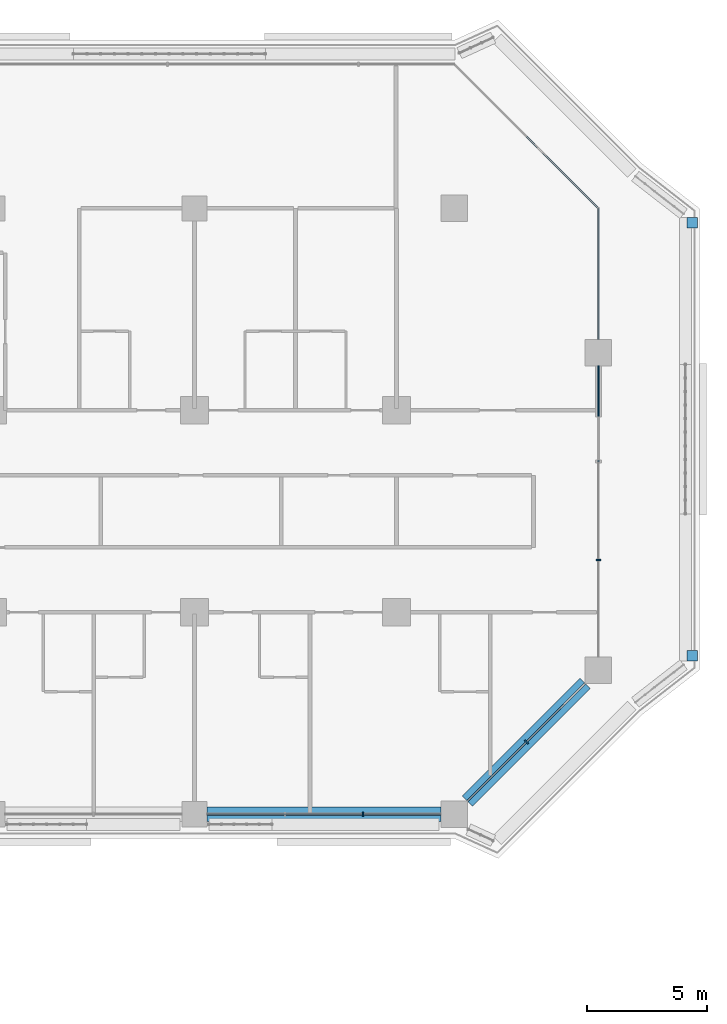
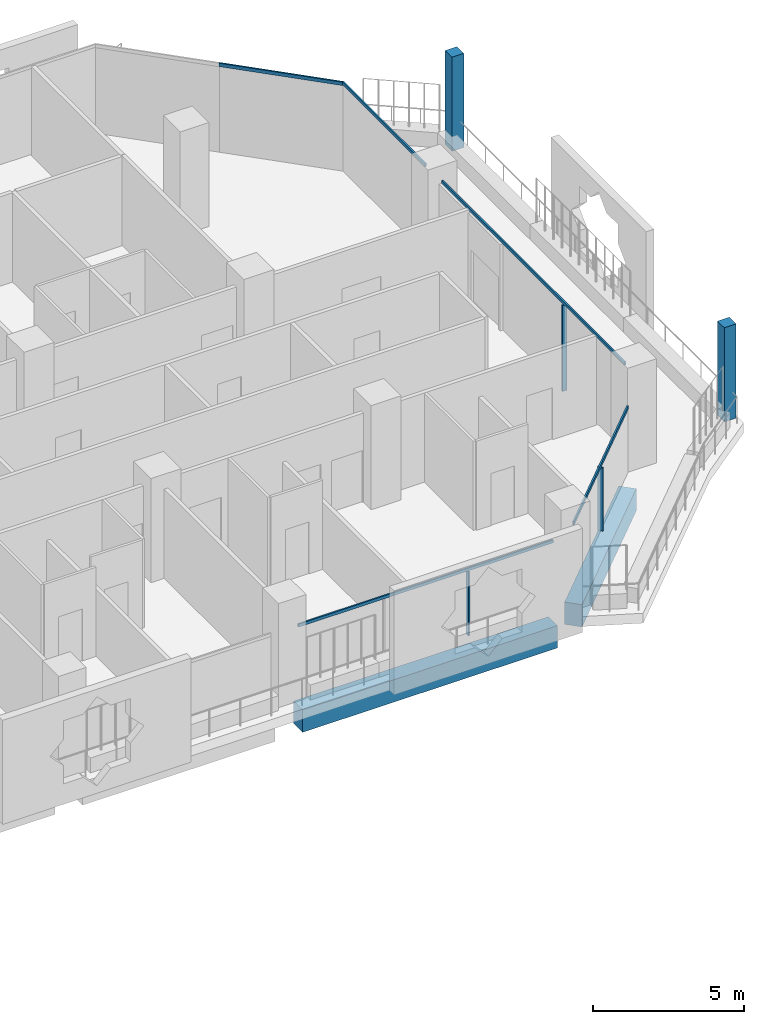
# One storey, part 7 of 25: 10 members, 2 beams, 5 elements without a shape of their own.
"""IFC4 building model written with IfcOpenShell, lengths in metres."""

from ifc_helpers import new_model, si_unit, direction, frame, origin, origin_2d, place, context, subcontext, project, spatial, rectangle, extrude, material, layer, layer_set, material_profile, profile_set, type_object, element, aggregate, save


model = new_model("IFC4")

# Units and contexts
model_context = context("Model", 3, precision=1e-05, world=origin(), true_north=direction((0.0, 1.0)))
body_context = subcontext(model_context, "Body", "Model", "MODEL_VIEW")
ifc_project = project(units=[si_unit("LENGTHUNIT", "METRE"), si_unit("AREAUNIT", "SQUARE_METRE"), si_unit("VOLUMEUNIT", "CUBIC_METRE"), si_unit("PLANEANGLEUNIT", "RADIAN"), si_unit("MASSUNIT", "GRAM", prefix="KILO")], contexts=[model_context])

# Site, building, storey
site_placement = place(None, origin())
site = spatial("IfcSite", under=ifc_project, at=site_placement, CompositionType="ELEMENT")
building_placement = place(site_placement, origin())
building = spatial("IfcBuilding", under=site, at=building_placement, Name="Kawkab Arch Medical Tower", CompositionType="ELEMENT")
storey_placement = place(building_placement, frame((0.0, 0.0, 132.39990234375)))
storey = spatial("IfcBuildingStorey", under=building, at=storey_placement, Name="L30", CompositionType="ELEMENT", Elevation=132.39990234375)

# Curtain wall, member
ifc_material_1 = material(Name="Bronze anodised aluminium curtain wall frame", Category="aluminium")
ifc_layer_1 = layer(ifc_material_1, 0.159912109375)
ifc_layer_set_1 = layer_set([ifc_layer_1], Name="Bronze anodised aluminium curtain wall frame")
curtain_wall_type_1 = type_object("IfcCurtainWallType", Name="CW1 ward curtain wall", PredefinedType="NOTDEFINED", material=ifc_layer_set_1)
placement = place(storey_placement, origin())
curtain_wall_1 = element("IfcCurtainWall", 1, at=placement, inside=storey, type_object=curtain_wall_type_1, Name="CW1 Ward curtain wall R07", PredefinedType="NOTDEFINED")
ifc_material_2 = material(Name="Bronze anodised aluminium curtain wall frame", Category="aluminium")
ifc_material_profile_1 = material_profile(ifc_material_2, rectangle(XDim=0.179931640625, YDim=0.06005859375, at=origin_2d()), Name="AL 60x180")
ifc_profile_set_1 = profile_set([ifc_material_profile_1], Name="Bronze anodised aluminium curtain wall frame")
member_type_1 = type_object("IfcMemberType", Name="CW1 mullion 60 x 180", PredefinedType="MULLION", material=ifc_profile_set_1)
member_1_placement = place(storey_placement, frame((65.808349609375, -25.199951171875, 0.0), z_axis=(0.0, 0.0, 1.0), x_axis=(0.0, 1.0, 0.0)))
member_1 = element("IfcMember", 2, at=member_1_placement, type_object=member_type_1, Name="CW1 mullion 4.2", PredefinedType="MULLION", context=body_context, shape_type="SweptSolid", body=[
    extrude(rectangle(XDim=0.179931640625, YDim=0.06005859375, at=origin_2d()), origin(), (0.0, 0.0, 1.0), 2.580078125),
])

curtain_wall_2 = element("IfcCurtainWall", 3, at=placement, inside=storey, type_object=curtain_wall_type_1, Name="CW1 Ward curtain wall R09", PredefinedType="NOTDEFINED")
member_2_placement = place(storey_placement, frame((75.60009765625, -14.61669921875, 0.0), z_axis=(0.0, 0.0, 1.0), x_axis=(-1.0, 0.0, 0.0)))
member_2 = element("IfcMember", 4, at=member_2_placement, type_object=member_type_1, Name="CW1 mullion 1.1", PredefinedType="MULLION", context=body_context, shape_type="SweptSolid", body=[
    extrude(rectangle(XDim=0.179931640625, YDim=0.06005859375, at=origin_2d()), origin(), (0.0, 0.0, 1.0), 3.47998046875),
])

# Member
ifc_material_3 = material(Name="Bronze anodised aluminium curtain wall frame", Category="aluminium")
ifc_material_profile_2 = material_profile(ifc_material_3, rectangle(XDim=0.06005859375, YDim=0.1201171875, at=origin_2d()), Name="AL 60x120")
ifc_profile_set_2 = profile_set([ifc_material_profile_2], Name="Bronze anodised aluminium curtain wall frame")
member_type_2 = type_object("IfcMemberType", Name="CW1 transom 120 x 60", PredefinedType="USERDEFINED", material=ifc_profile_set_2)
member_3_placement = place(storey_placement, frame((59.324951171875, -25.199951171875, 2.64013671875), z_axis=(1.0, 0.0, 0.0), x_axis=(0.0, 1.0, 0.0)))
member_3 = element("IfcMember", 5, at=member_3_placement, type_object=member_type_2, Name="CW1 transom 4", ObjectType="TRANSOM", PredefinedType="USERDEFINED", context=body_context, shape_type="SweptSolid", body=[
    extrude(rectangle(XDim=0.06005859375, YDim=0.1201171875, at=origin_2d()), origin(), (0.0, 0.0, 1.0), 9.72509765625),
])

aggregate(curtain_wall_1, [member_3, member_1])

member_4_placement = place(storey_placement, frame((75.60009765625, -18.64990234375, 3.5400390625), z_axis=(0.0, 1.0, 0.0), x_axis=(-1.0, 0.0, 0.0)))
member_4 = element("IfcMember", 6, at=member_4_placement, type_object=member_type_2, Name="CW1 transom 1", ObjectType="TRANSOM", PredefinedType="USERDEFINED", context=body_context, shape_type="SweptSolid", body=[
    extrude(rectangle(XDim=0.06005859375, YDim=0.1201171875, at=origin_2d()), origin(), (0.0, 0.0, 1.0), 12.099853515625),
])

member_5_placement = place(storey_placement, frame((75.60009765625, -5.449951171875, 3.5400390625), z_axis=(0.0, 1.0, 0.0), x_axis=(-1.0, 0.0, 0.0)))
member_5 = element("IfcMember", 7, at=member_5_placement, type_object=member_type_2, Name="CW1 transom 2", ObjectType="TRANSOM", PredefinedType="USERDEFINED", context=body_context, shape_type="SweptSolid", body=[
    extrude(rectangle(XDim=0.06005859375, YDim=0.1201171875, at=origin_2d()), origin(), (0.0, 0.0, 1.0), 5.449951171875),
])

aggregate(curtain_wall_2, [member_4, member_2, member_5])

# Curtain wall, members
ifc_material_4 = material(Name="Bronze anodised aluminium curtain wall frame", Category="aluminium")
ifc_layer_2 = layer(ifc_material_4, 0.159912109375)
ifc_layer_set_2 = layer_set([ifc_layer_2], Name="Bronze anodised aluminium curtain wall frame")
curtain_wall_type_2 = type_object("IfcCurtainWallType", Name="CW2 chamfer curtain wall", PredefinedType="NOTDEFINED", material=ifc_layer_set_2)
curtain_wall_3 = element("IfcCurtainWall", 8, at=placement, inside=storey, type_object=curtain_wall_type_2, Name="CW2 Chamfer curtain wall R08", PredefinedType="NOTDEFINED")
ifc_material_5 = material(Name="Bronze anodised aluminium curtain wall frame", Category="aluminium")
ifc_material_profile_3 = material_profile(ifc_material_5, rectangle(XDim=0.199951171875, YDim=0.06005859375, at=origin_2d()), Name="AL 60x200")
ifc_profile_set_3 = profile_set([ifc_material_profile_3], Name="Bronze anodised aluminium curtain wall frame")
member_type_3 = type_object("IfcMemberType", Name="CW2 mullion 60 x 200", PredefinedType="MULLION", material=ifc_profile_set_3)
member_6_placement = place(storey_placement, frame((72.60009765625, -22.199951171875, 0.0), z_axis=(0.0, 0.0, 1.0), x_axis=(-0.707106781187, 0.707106781187, 0.0)))
member_6 = element("IfcMember", 9, at=member_6_placement, type_object=member_type_3, Name="CW2 mullion 1.1", PredefinedType="MULLION", context=body_context, shape_type="SweptSolid", body=[
    extrude(rectangle(XDim=0.199951171875, YDim=0.06005859375, at=origin_2d()), origin(), (0.0, 0.0, 1.0), 2.56005859375),
])
ifc_material_6 = material(Name="Bronze anodised aluminium curtain wall frame", Category="aluminium")
ifc_material_profile_4 = material_profile(ifc_material_6, rectangle(XDim=0.06005859375, YDim=0.139892578125, at=origin_2d()), Name="AL 60x140")
ifc_profile_set_4 = profile_set([ifc_material_profile_4], Name="Bronze anodised aluminium curtain wall frame")
member_type_4 = type_object("IfcMemberType", Name="CW2 transom 140 x 60", PredefinedType="USERDEFINED", material=ifc_profile_set_4)
member_7_placement = place(storey_placement, frame((70.14990234375, -24.64990234375, 2.630126953125), z_axis=(0.707124396542, 0.707089165393, 0.0), x_axis=(-0.707089165393, 0.707124396542, 0.0)))
member_7 = element("IfcMember", 10, at=member_7_placement, type_object=member_type_4, Name="CW2 transom 1", ObjectType="TRANSOM", PredefinedType="USERDEFINED", context=body_context, shape_type="SweptSolid", body=[
    extrude(rectangle(XDim=0.06005859375, YDim=0.139892578125, at=origin_2d()), origin(), (0.0, 0.0, 1.0), 6.9296875),
])
aggregate(curtain_wall_3, [member_7, member_6])

# Curtain wall, member
curtain_wall_4 = element("IfcCurtainWall", 11, at=placement, inside=storey, type_object=curtain_wall_type_2, Name="CW2 Chamfer curtain wall R10", PredefinedType="NOTDEFINED")
member_8_placement = place(storey_placement, frame((75.60009765625, 0.0, 3.530029296875), z_axis=(-0.707106781187, 0.707106781187, 0.0), x_axis=(-0.707106781187, -0.707106781187, 0.0)))
member_8 = element("IfcMember", 12, at=member_8_placement, type_object=member_type_4, Name="CW2 transom 1", ObjectType="TRANSOM", PredefinedType="USERDEFINED", context=body_context, shape_type="SweptSolid", body=[
    extrude(rectangle(XDim=0.06005859375, YDim=0.139892578125, at=origin_2d()), origin(), (0.0, 0.0, 1.0), 4.24267578125),
])
aggregate(curtain_wall_4, [member_8])

# Curtain wall, members
ifc_material_7 = material(Name="Bronze anodised aluminium climber frame, planted", Category="aluminium")
ifc_layer_3 = layer(ifc_material_7, 0.449951171875)
ifc_layer_set_3 = layer_set([ifc_layer_3], Name="Bronze anodised aluminium climber frame, planted")
curtain_wall_type_3 = type_object("IfcCurtainWallType", Name="Planted climber frame", PredefinedType="NOTDEFINED", material=ifc_layer_set_3)
curtain_wall_5 = element("IfcCurtainWall", 13, at=placement, inside=storey, type_object=curtain_wall_type_3, Name="Planted climber frame L30", PredefinedType="NOTDEFINED")
ifc_material_8 = material(Name="Bronze anodised aluminium climber frame, planted", Category="aluminium")
ifc_material_profile_5 = material_profile(ifc_material_8, rectangle(XDim=0.449951171875, YDim=0.449951171875, at=origin_2d()), Name="Post 450x450")
ifc_profile_set_5 = profile_set([ifc_material_profile_5], Name="Bronze anodised aluminium climber frame, planted")
member_type_5 = type_object("IfcMemberType", Name="Planted climber post 450 x 450", PredefinedType="MULLION", material=ifc_profile_set_5)
member_9_placement = place(storey_placement, frame((79.5, -0.596923828125, 0.0), z_axis=(0.0, 0.0, 1.0), x_axis=(1.0, 0.0, 0.0)))
member_9 = element("IfcMember", 14, at=member_9_placement, type_object=member_type_5, Name="Planted climber post L30.LOG-01-01.3", PredefinedType="MULLION", context=body_context, shape_type="SweptSolid", body=[
    extrude(rectangle(XDim=0.449951171875, YDim=0.449951171875, at=origin_2d()), origin(), (0.0, 0.0, 1.0), 3.800048828125),
])
member_10_placement = place(storey_placement, frame((79.5, -18.60302734375, 0.0), z_axis=(0.0, 0.0, 1.0), x_axis=(1.0, 0.0, 0.0)))
member_10 = element("IfcMember", 15, at=member_10_placement, type_object=member_type_5, Name="Planted climber post L30.LOG-01-01.4", PredefinedType="MULLION", context=body_context, shape_type="SweptSolid", body=[
    extrude(rectangle(XDim=0.449951171875, YDim=0.449951171875, at=origin_2d()), origin(), (0.0, 0.0, 1.0), 3.800048828125),
])
aggregate(curtain_wall_5, [member_9, member_10])

# Beams
ifc_material_9 = material(Name="Concrete C55/67", Category="concrete")
ifc_material_profile_6 = material_profile(ifc_material_9, rectangle(XDim=0.60009765625, YDim=0.89990234375, at=origin_2d()), Name="RC 600x900")
ifc_profile_set_6 = profile_set([ifc_material_profile_6], Name="Concrete C55/67")
beam_type = type_object("IfcBeamType", Name="RC 600x900 beam C55/67", PredefinedType="BEAM", material=ifc_profile_set_6)
beam_1_placement = place(storey_placement, frame((75.050048828125, -19.75, -1.0498046875), z_axis=(-0.707124396542, -0.707089165393, 0.0), x_axis=(0.707089165393, -0.707124396542, 0.0)))
element("IfcBeam", 16, at=beam_1_placement, inside=storey, type_object=beam_type, Name="Overhang edge beam L30-01", PredefinedType="BEAM", context=body_context, shape_type="SweptSolid", body=[
    extrude(rectangle(XDim=0.60009765625, YDim=0.89990234375, at=origin_2d()), origin(), (0.0, 0.0, 1.0), 6.9296875),
])
beam_2_placement = place(storey_placement, frame((69.050048828125, -25.199951171875, -1.0498046875), z_axis=(-1.0, 0.0, 0.0), x_axis=(0.0, -1.0, 0.0)))
element("IfcBeam", 17, at=beam_2_placement, inside=storey, type_object=beam_type, Name="Overhang edge beam L30-02", PredefinedType="BEAM", context=body_context, shape_type="SweptSolid", body=[
    extrude(rectangle(XDim=0.60009765625, YDim=0.89990234375, at=origin_2d()), origin(), (0.0, 0.0, 1.0), 9.72509765625),
])

save(model, "model.ifc")
